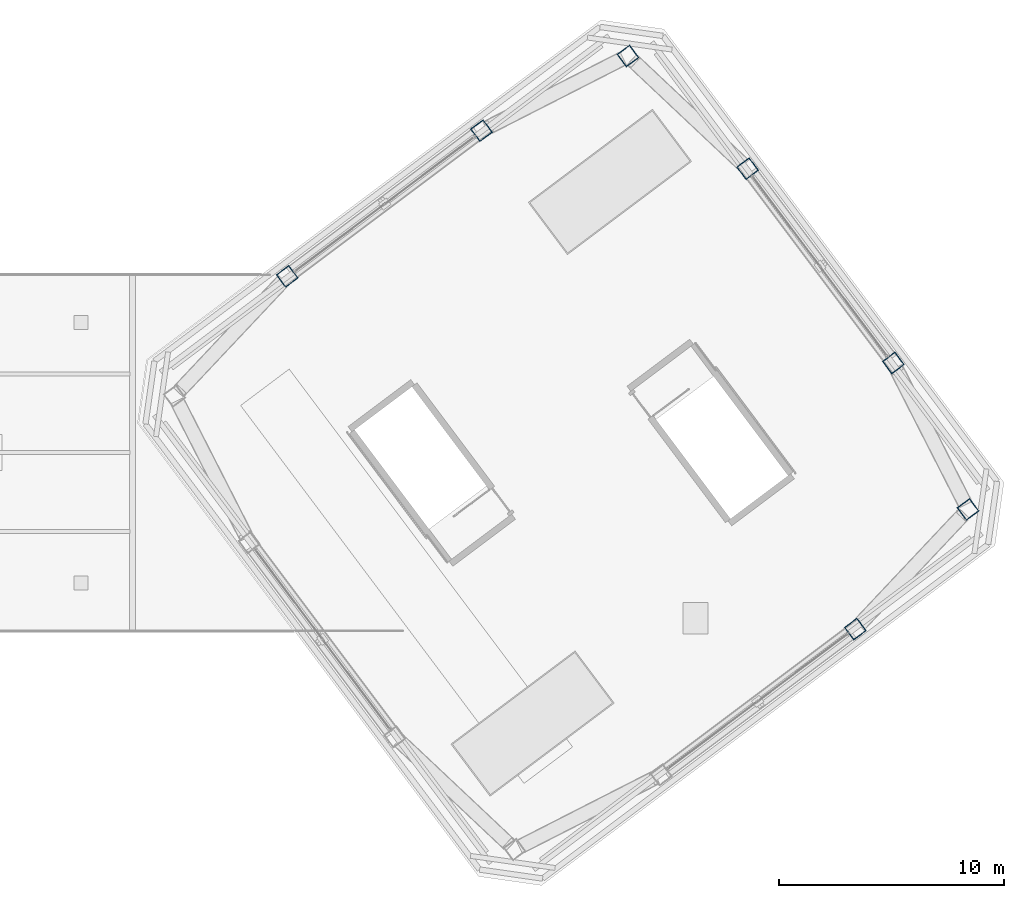
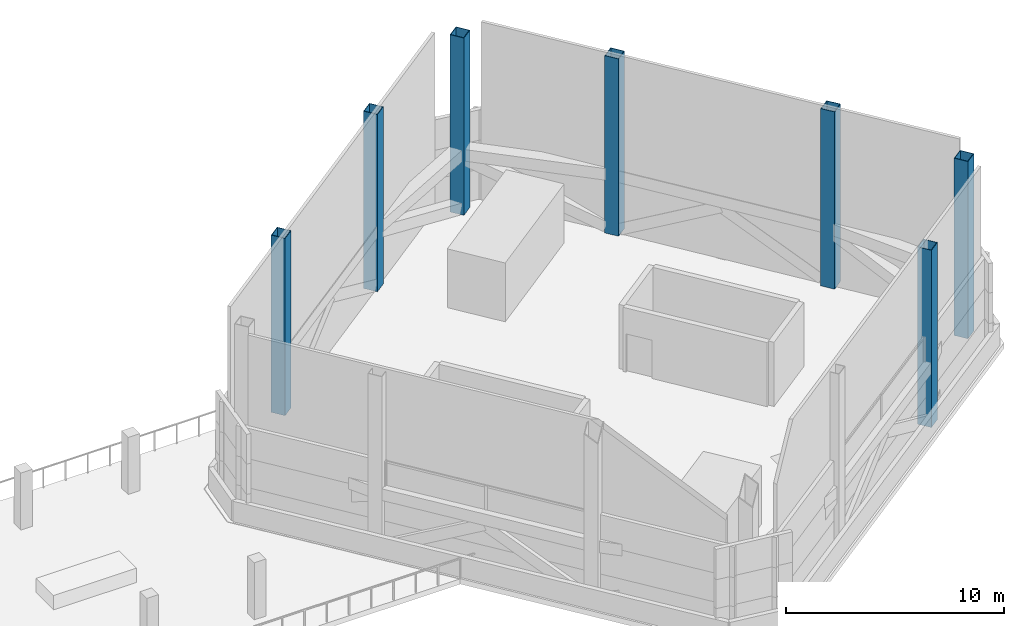
# One storey, part 2 of 37: 7 columns.
"""IFC4 building model written with IfcOpenShell, lengths in metres."""

from ifc_helpers import new_model, si_unit, direction, frame, origin, origin_2d, place, context, subcontext, project, spatial, hollow_rectangle, extrude, material, material_profile, profile_set, type_object, element, save


model = new_model("IFC4")

# Units and contexts
model_context = context("Model", 3, precision=1e-05, world=origin(), true_north=direction((0.0, 1.0)))
body_context = subcontext(model_context, "Body", "Model", "MODEL_VIEW")
ifc_project = project(units=[si_unit("LENGTHUNIT", "METRE"), si_unit("AREAUNIT", "SQUARE_METRE"), si_unit("VOLUMEUNIT", "CUBIC_METRE"), si_unit("PLANEANGLEUNIT", "RADIAN"), si_unit("MASSUNIT", "GRAM", prefix="KILO")], contexts=[model_context])

# Site, building, storey
site_placement = place(None, origin())
site = spatial("IfcSite", under=ifc_project, at=site_placement, CompositionType="ELEMENT")
building_placement = place(site_placement, origin())
building = spatial("IfcBuilding", under=site, at=building_placement, Name="Tashvorn Skyway Center", CompositionType="ELEMENT")
storey_placement = place(building_placement, frame((0.0, 0.0, 263.39990234375)))
storey = spatial("IfcBuildingStorey", under=building, at=storey_placement, Name="L71", CompositionType="ELEMENT", Elevation=263.39990234375)

# Columns
ifc_material = material(Name="Steel ASTM A572 Grade 50", Category="steel")
ifc_material_profile = material_profile(ifc_material, hollow_rectangle(XDim=0.699951171875, YDim=0.699951171875, WallThickness=0.028076171875, at=origin_2d()), Name="BOX700x700x28")
ifc_profile_set = profile_set([ifc_material_profile], Name="Steel ASTM A572 Grade 50")
column_type = type_object("IfcColumnType", Name="COL-BOX700x700x28", PredefinedType="COLUMN", material=ifc_profile_set)
for number, where, z_axis, x_axis, name in (
    (1, (131.639892578125, 29.47998046875, 0.0), (0.0, 0.0, 1.0), (0.799999996291, 0.600000004945, 0.0), "CROWN FRAME Tower 2 Portal Column MC-SE"),
    (2, (116.52001953125, 49.639892578125, 0.0), (0.0, 0.0, 1.0), (0.799999996291, 0.600000004945, 0.0), "CROWN FRAME Tower 2 Portal Column MC-NE"),
    (3, (126.6298828125, 24.159912109375, 0.0), (0.0, 0.0, 1.0), (0.799999996291, 0.600000004945, 0.0), "CROWN FRAME Tower 2 Portal Column FC-S2"),
    (4, (128.320068359375, 35.989990234375, 0.0), (0.0, 0.0, 1.0), (0.799999996291, 0.600000004945, 0.0), "CROWN FRAME Tower 2 Portal Column FC-E1"),
    (5, (121.840087890625, 44.6298828125, 0.0), (0.0, 0.0, 1.0), (0.799999996291, 0.600000004945, 0.0), "CROWN FRAME Tower 2 Portal Column FC-E2"),
    (6, (110.010009765625, 46.320068359375, 0.0), (0.0, 0.0, 1.0), (0.799999996291, 0.600000004945, 0.0), "CROWN FRAME Tower 2 Portal Column FC-N1"),
    (7, (101.3701171875, 39.840087890625, 0.0), (0.0, 0.0, 1.0), (0.799999996291, 0.600000004945, 0.0), "CROWN FRAME Tower 2 Portal Column FC-N2"),
):
    element("IfcColumn", number, at=place(storey_placement, frame(where, z_axis=z_axis, x_axis=x_axis)), inside=storey, type_object=column_type, Name=name, PredefinedType="COLUMN", context=body_context, shape_type="SweptSolid", body=[
        extrude(hollow_rectangle(XDim=0.699951171875, YDim=0.699951171875, WallThickness=0.028076171875, at=origin_2d()), origin(), (0.0, 0.0, 1.0), 9.9501953125),
    ])

save(model, "model.ifc")
